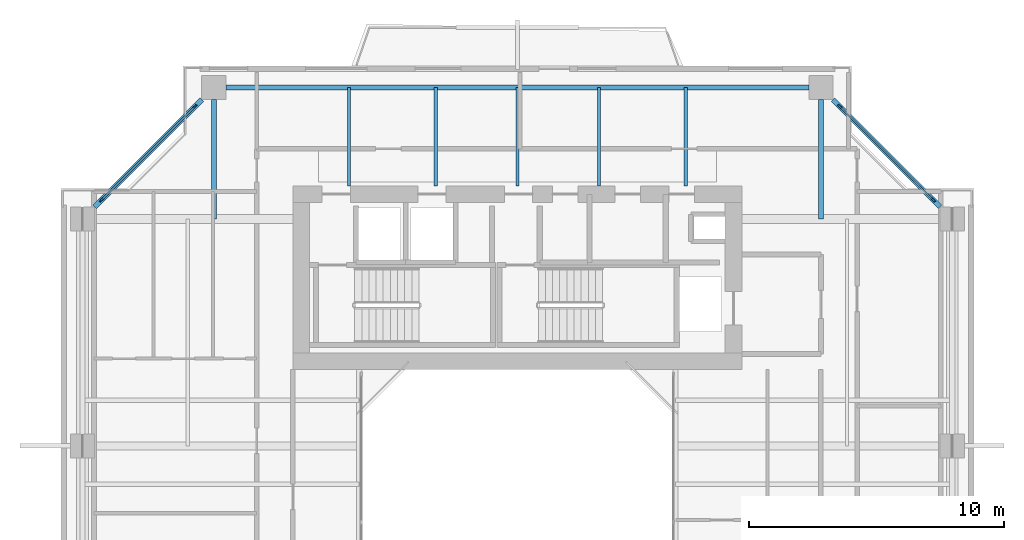
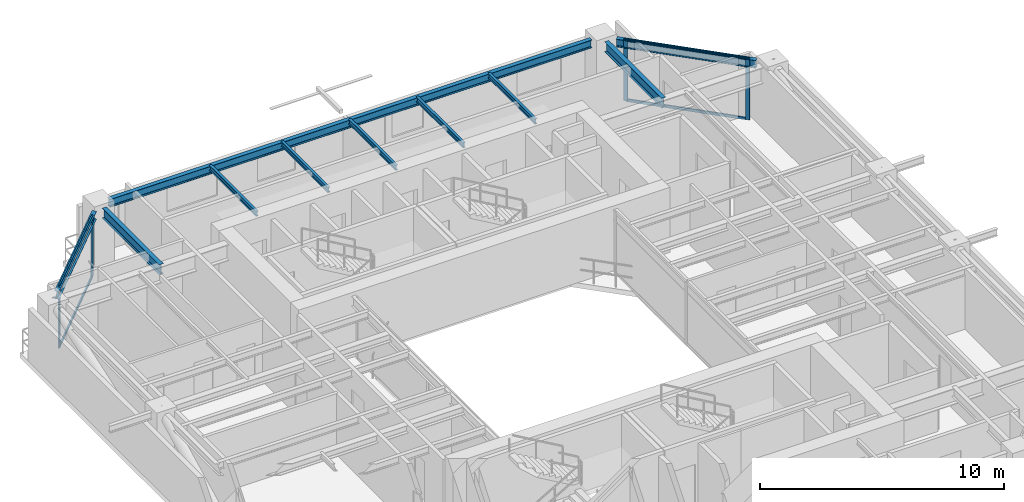
# One storey, part 6 of 14: 10 beams, 8 members, 2 elements without a shape of their own.
"""IFC4 building model written with IfcOpenShell, lengths in metres."""

from ifc_helpers import new_model, si_unit, direction, frame, origin, origin_2d, place, context, subcontext, project, spatial, rectangle, i_section, extrude, source, transform, mapped, material, layer, layer_set, material_profile, profile_set, type_object, element, aggregate, save


model = new_model("IFC4")

# Units and contexts
model_context = context("Model", 3, precision=1e-05, world=origin(), true_north=direction((0.0, 1.0)))
body_context = subcontext(model_context, "Body", "Model", "MODEL_VIEW")
ifc_project = project(units=[si_unit("LENGTHUNIT", "METRE"), si_unit("AREAUNIT", "SQUARE_METRE"), si_unit("VOLUMEUNIT", "CUBIC_METRE"), si_unit("PLANEANGLEUNIT", "RADIAN"), si_unit("MASSUNIT", "GRAM", prefix="KILO"), si_unit("THERMODYNAMICTEMPERATUREUNIT", "KELVIN"), si_unit("POWERUNIT", "WATT")], contexts=[model_context])

# Site, building, storey
site_placement = place(None, origin())
site = spatial("IfcSite", under=ifc_project, at=site_placement, CompositionType="ELEMENT")
building_placement = place(site_placement, origin())
building = spatial("IfcBuilding", under=site, at=building_placement, Name="Qiaomeng Ring Towers", CompositionType="ELEMENT")
storey_placement = place(building_placement, frame((0.0, 0.0, 176.25)))
storey = spatial("IfcBuildingStorey", under=building, at=storey_placement, Name="L51", CompositionType="ELEMENT", Elevation=176.25)

# Beams
ifc_material_1 = material(Name="Steel Q355B", Category="steel")
ifc_material_profile_1 = material_profile(ifc_material_1, i_section(OverallWidth=0.125, OverallDepth=0.25, WebThickness=0.006103515625, FlangeThickness=0.009033203125, FilletRadius=0.011962890625, at=origin_2d()), Name="HN 250x125x6x9")
ifc_profile_set_1 = profile_set([ifc_material_profile_1], Name="Steel Q355B")
beam_type_1 = type_object("IfcBeamType", Name="STR-BM-HN250", PredefinedType="JOIST", material=ifc_profile_set_1)
shared_shape_1 = source(origin(), body_context, "Body", "SweptSolid", [
    extrude(i_section(OverallWidth=0.125, OverallDepth=0.25, WebThickness=0.006103515625, FlangeThickness=0.009033203125, FilletRadius=0.011962890625, at=origin_2d()), origin(), (0.0, 0.0, 1.0), 3.85009765625),
])
for number, where, z_axis, x_axis, name in (
    (1, (12.39990234375, 36.199951171875, 2.945068359375), (0.0, 1.0, 0.0), (-1.0, 0.0, 0.0), "L51 beam STR-JST-L51-T1N-1"),
    (2, (15.800048828125, 36.199951171875, 2.945068359375), (0.0, 1.0, 0.0), (-1.0, 0.0, 0.0), "L51 beam STR-JST-L51-T1N-2"),
    (3, (19.0, 36.199951171875, 2.945068359375), (0.0, 1.0, 0.0), (-1.0, 0.0, 0.0), "L51 beam STR-JST-L51-T1N-3"),
    (4, (22.199951171875, 36.199951171875, 2.945068359375), (0.0, 1.0, 0.0), (-1.0, 0.0, 0.0), "L51 beam STR-JST-L51-T1N-4"),
    (5, (25.60009765625, 36.199951171875, 2.945068359375), (0.0, 1.0, 0.0), (-1.0, 0.0, 0.0), "L51 beam STR-JST-L51-T1N-5"),
):
    element("IfcBeam", number, at=place(storey_placement, frame(where, z_axis=z_axis, x_axis=x_axis)), inside=storey, type_object=beam_type_1, Name=name, PredefinedType="JOIST", context=body_context, shape_type="MappedRepresentation", body=[
        mapped(shared_shape_1, transform((0.0, 0.0, 0.0), x_axis=(1.0, 0.0, 0.0), y_axis=(0.0, 1.0, 0.0), z_axis=(0.0, 0.0, 1.0), scale=1.0)),
    ])
ifc_material_profile_2 = material_profile(ifc_material_1, i_section(OverallWidth=0.199951171875, OverallDepth=0.39990234375, WebThickness=0.008056640625, FlangeThickness=0.012939453125, FilletRadius=0.01611328125, at=origin_2d()), Name="HN 400x200x8x13")
ifc_profile_set_2 = profile_set([ifc_material_profile_2], Name="Steel Q355B")
beam_type_2 = type_object("IfcBeamType", Name="STR-BM-HN400", PredefinedType="SPANDREL", material=ifc_profile_set_2)
shared_shape_2 = source(origin(), body_context, "Body", "SweptSolid", [
    extrude(i_section(OverallWidth=0.199951171875, OverallDepth=0.39990234375, WebThickness=0.008056640625, FlangeThickness=0.012939453125, FilletRadius=0.01611328125, at=origin_2d()), origin(), (0.0, 0.0, 1.0), 22.85205078125),
])
beam_placement = place(storey_placement, frame((30.426025390625, 40.050048828125, 2.8701171875), z_axis=(-1.0, 0.0, 0.0), x_axis=(0.0, -1.0, 0.0)))
element("IfcBeam", 6, at=beam_placement, inside=storey, type_object=beam_type_2, Name="L51 beam STR-SP-L51-T1-N2-N1", PredefinedType="SPANDREL", context=body_context, shape_type="MappedRepresentation", body=[
    mapped(shared_shape_2, transform((0.0, 0.0, 0.0), x_axis=(1.0, 0.0, 0.0), y_axis=(0.0, 1.0, 0.0), z_axis=(0.0, 0.0, 1.0), scale=1.0)),
])
shared_shape_3 = source(origin(), body_context, "Body", "SweptSolid", [
    extrude(i_section(OverallWidth=0.199951171875, OverallDepth=0.39990234375, WebThickness=0.008056640625, FlangeThickness=0.012939453125, FilletRadius=0.01611328125, at=origin_2d()), origin(), (0.0, 0.0, 1.0), 5.941650390625),
])
for number, where, z_axis, x_axis, name in (
    (7, (35.57568359375, 35.374267578125, 2.8701171875), (-0.707106781187, 0.707106781187, 0.0), (-0.707106781187, -0.707106781187, 0.0), "L51 beam STR-SP-L51-T1-E4-N2"),
    (8, (6.625732421875, 39.57568359375, 2.8701171875), (-0.707106781187, -0.707106781187, 0.0), (0.707106781187, -0.707106781187, 0.0), "L51 beam STR-SP-L51-T1-N1-W4"),
):
    element("IfcBeam", number, at=place(storey_placement, frame(where, z_axis=z_axis, x_axis=x_axis)), inside=storey, type_object=beam_type_2, Name=name, PredefinedType="SPANDREL", context=body_context, shape_type="MappedRepresentation", body=[
        mapped(shared_shape_3, transform((0.0, 0.0, 0.0), x_axis=(1.0, 0.0, 0.0), y_axis=(0.0, 1.0, 0.0), z_axis=(0.0, 0.0, 1.0), scale=1.0)),
    ])
ifc_material_profile_3 = material_profile(ifc_material_1, i_section(OverallWidth=0.199951171875, OverallDepth=0.5, WebThickness=0.010009765625, FlangeThickness=0.01611328125, FilletRadius=0.02001953125, at=origin_2d()), Name="HN 500x200x10x16")
ifc_profile_set_3 = profile_set([ifc_material_profile_3], Name="Steel Q355B")
beam_type_3 = type_object("IfcBeamType", Name="STR-BM-HN500", PredefinedType="BEAM", material=ifc_profile_set_3)
shared_shape_4 = source(origin(), body_context, "Body", "SweptSolid", [
    extrude(i_section(OverallWidth=0.199951171875, OverallDepth=0.5, WebThickness=0.010009765625, FlangeThickness=0.01611328125, FilletRadius=0.02001953125, at=origin_2d()), origin(), (0.0, 0.0, 1.0), 4.676025390625),
])
for number, where, z_axis, x_axis, name in (
    (9, (7.10009765625, 39.575927734375, 2.820068359375), (0.0, -1.0, 0.0), (1.0, 0.0, 0.0), "L51 beam STR-BM-L51-T1-RAD-N1"),
    (10, (30.89990234375, 39.575927734375, 2.820068359375), (0.0, -1.0, 0.0), (1.0, 0.0, 0.0), "L51 beam STR-BM-L51-T1-RAD-N2"),
):
    element("IfcBeam", number, at=place(storey_placement, frame(where, z_axis=z_axis, x_axis=x_axis)), inside=storey, type_object=beam_type_3, Name=name, PredefinedType="BEAM", context=body_context, shape_type="MappedRepresentation", body=[
        mapped(shared_shape_4, transform((0.0, 0.0, 0.0), x_axis=(1.0, 0.0, 0.0), y_axis=(0.0, 1.0, 0.0), z_axis=(0.0, 0.0, 1.0), scale=1.0)),
    ])

# Curtain wall, members
ifc_material_2 = material(Name="Fluorocarbon dark-grey aluminium", Category="aluminium")
ifc_layer = layer(ifc_material_2, 0.14990234375, Name="Fluorocarbon dark-grey aluminium")
ifc_layer_set = layer_set([ifc_layer], Name="Fluorocarbon dark-grey aluminium")
curtain_wall_type = type_object("IfcCurtainWallType", Name="ARC-CW-3", PredefinedType="NOTDEFINED", material=ifc_layer_set)
curtain_wall_1_placement = place(storey_placement, origin())
curtain_wall_1 = element("IfcCurtainWall", 11, at=curtain_wall_1_placement, inside=storey, type_object=curtain_wall_type, Name="L51 Curtain Wall CW3", PredefinedType="NOTDEFINED")
ifc_material_profile_4 = material_profile(ifc_material_2, rectangle(XDim=0.070068359375, YDim=0.179931640625, at=origin_2d()), Name="ALU MULL 70x180")
ifc_profile_set_4 = profile_set([ifc_material_profile_4], Name="Fluorocarbon dark-grey aluminium")
member_type_1 = type_object("IfcMemberType", Name="ARC-CWM-160", PredefinedType="MULLION", material=ifc_profile_set_4)
shared_shape_5 = source(origin(), body_context, "Body", "SweptSolid", [
    extrude(rectangle(XDim=0.070068359375, YDim=0.179931640625, at=origin_2d()), origin(), (0.0, 0.0, 1.0), 3.070068359375),
])
member_1_placement = place(storey_placement, frame((35.310302734375, 35.6396484375, 0.0), z_axis=(0.0, 0.0, 1.0), x_axis=(-0.707106781187, -0.707106781187, 0.0)))
member_1 = element("IfcMember", 12, at=member_1_placement, type_object=member_type_1, Name="CW3 mullion 1", PredefinedType="MULLION", context=body_context, shape_type="MappedRepresentation", body=[
    mapped(shared_shape_5, transform((0.0, 0.0, 0.0), x_axis=(1.0, 0.0, 0.0), y_axis=(0.0, 1.0, 0.0), z_axis=(0.0, 0.0, 1.0), scale=1.0)),
])
member_2_placement = place(storey_placement, frame((31.6396484375, 39.310302734375, 0.0), z_axis=(0.0, 0.0, 1.0), x_axis=(-0.707106781187, -0.707106781187, 0.0)))
member_2 = element("IfcMember", 13, at=member_2_placement, type_object=member_type_1, Name="CW3 mullion 2", PredefinedType="MULLION", context=body_context, shape_type="MappedRepresentation", body=[
    mapped(shared_shape_5, transform((0.0, 0.0, 0.0), x_axis=(1.0, 0.0, 0.0), y_axis=(0.0, 1.0, 0.0), z_axis=(0.0, 0.0, 1.0), scale=1.0)),
])

curtain_wall_2_placement = place(storey_placement, origin())
curtain_wall_2 = element("IfcCurtainWall", 14, at=curtain_wall_2_placement, inside=storey, type_object=curtain_wall_type, Name="L51 Curtain Wall CW3", PredefinedType="NOTDEFINED")
member_3_placement = place(storey_placement, frame((6.3603515625, 39.310302734375, 0.0), z_axis=(0.0, 0.0, 1.0), x_axis=(0.707106781187, -0.707106781187, 0.0)))
member_3 = element("IfcMember", 15, at=member_3_placement, type_object=member_type_1, Name="CW3 mullion 1", PredefinedType="MULLION", context=body_context, shape_type="MappedRepresentation", body=[
    mapped(shared_shape_5, transform((0.0, 0.0, 0.0), x_axis=(1.0, 0.0, 0.0), y_axis=(0.0, 1.0, 0.0), z_axis=(0.0, 0.0, 1.0), scale=1.0)),
])
member_4_placement = place(storey_placement, frame((2.689697265625, 35.6396484375, 0.0), z_axis=(0.0, 0.0, 1.0), x_axis=(0.707106781187, -0.707106781187, 0.0)))
member_4 = element("IfcMember", 16, at=member_4_placement, type_object=member_type_1, Name="CW3 mullion 2", PredefinedType="MULLION", context=body_context, shape_type="MappedRepresentation", body=[
    mapped(shared_shape_5, transform((0.0, 0.0, 0.0), x_axis=(1.0, 0.0, 0.0), y_axis=(0.0, 1.0, 0.0), z_axis=(0.0, 0.0, 1.0), scale=1.0)),
])

# Member
ifc_material_profile_5 = material_profile(ifc_material_2, rectangle(XDim=0.06494140625, YDim=0.1298828125, at=origin_2d()), Name="ALU TRAN 65x130")
ifc_profile_set_5 = profile_set([ifc_material_profile_5], Name="Fluorocarbon dark-grey aluminium")
member_type_2 = type_object("IfcMemberType", Name="ARC-CWT-120", PredefinedType="USERDEFINED", material=ifc_profile_set_5)
shared_shape_6 = source(origin(), body_context, "Body", "SweptSolid", [
    extrude(rectangle(XDim=0.06494140625, YDim=0.1298828125, at=origin_2d()), origin(), (0.0, 0.0, 1.0), 5.12060546875),
])
member_5_placement = place(storey_placement, frame((35.285400390625, 35.66455078125, 0.032470703125), z_axis=(-0.707106781187, 0.707106781187, 0.0), x_axis=(-0.707106781187, -0.707106781187, 0.0)))
member_5 = element("IfcMember", 17, at=member_5_placement, type_object=member_type_2, Name="CW3 transom 1.1", ObjectType="TRANSOM", PredefinedType="USERDEFINED", context=body_context, shape_type="MappedRepresentation", body=[
    mapped(shared_shape_6, transform((0.0, 0.0, 0.0), x_axis=(1.0, 0.0, 0.0), y_axis=(0.0, 1.0, 0.0), z_axis=(0.0, 0.0, 1.0), scale=1.0)),
])

member_6_placement = place(storey_placement, frame((35.285400390625, 35.66455078125, 3.03759765625), z_axis=(-0.707106781187, 0.707106781187, 0.0), x_axis=(-0.707106781187, -0.707106781187, 0.0)))
member_6 = element("IfcMember", 18, at=member_6_placement, type_object=member_type_2, Name="CW3 transom 1.2", ObjectType="TRANSOM", PredefinedType="USERDEFINED", context=body_context, shape_type="MappedRepresentation", body=[
    mapped(shared_shape_6, transform((0.0, 0.0, 0.0), x_axis=(1.0, 0.0, 0.0), y_axis=(0.0, 1.0, 0.0), z_axis=(0.0, 0.0, 1.0), scale=1.0)),
])

aggregate(curtain_wall_1, [member_1, member_2, member_5, member_6])

member_7_placement = place(storey_placement, frame((6.33544921875, 39.285400390625, 0.032470703125), z_axis=(-0.707106781187, -0.707106781187, 0.0), x_axis=(0.707106781187, -0.707106781187, 0.0)))
member_7 = element("IfcMember", 19, at=member_7_placement, type_object=member_type_2, Name="CW3 transom 1.1", ObjectType="TRANSOM", PredefinedType="USERDEFINED", context=body_context, shape_type="MappedRepresentation", body=[
    mapped(shared_shape_6, transform((0.0, 0.0, 0.0), x_axis=(1.0, 0.0, 0.0), y_axis=(0.0, 1.0, 0.0), z_axis=(0.0, 0.0, 1.0), scale=1.0)),
])

member_8_placement = place(storey_placement, frame((6.33544921875, 39.285400390625, 3.03759765625), z_axis=(-0.707106781187, -0.707106781187, 0.0), x_axis=(0.707106781187, -0.707106781187, 0.0)))
member_8 = element("IfcMember", 20, at=member_8_placement, type_object=member_type_2, Name="CW3 transom 1.2", ObjectType="TRANSOM", PredefinedType="USERDEFINED", context=body_context, shape_type="MappedRepresentation", body=[
    mapped(shared_shape_6, transform((0.0, 0.0, 0.0), x_axis=(1.0, 0.0, 0.0), y_axis=(0.0, 1.0, 0.0), z_axis=(0.0, 0.0, 1.0), scale=1.0)),
])

aggregate(curtain_wall_2, [member_3, member_4, member_7, member_8])

save(model, "model.ifc")
